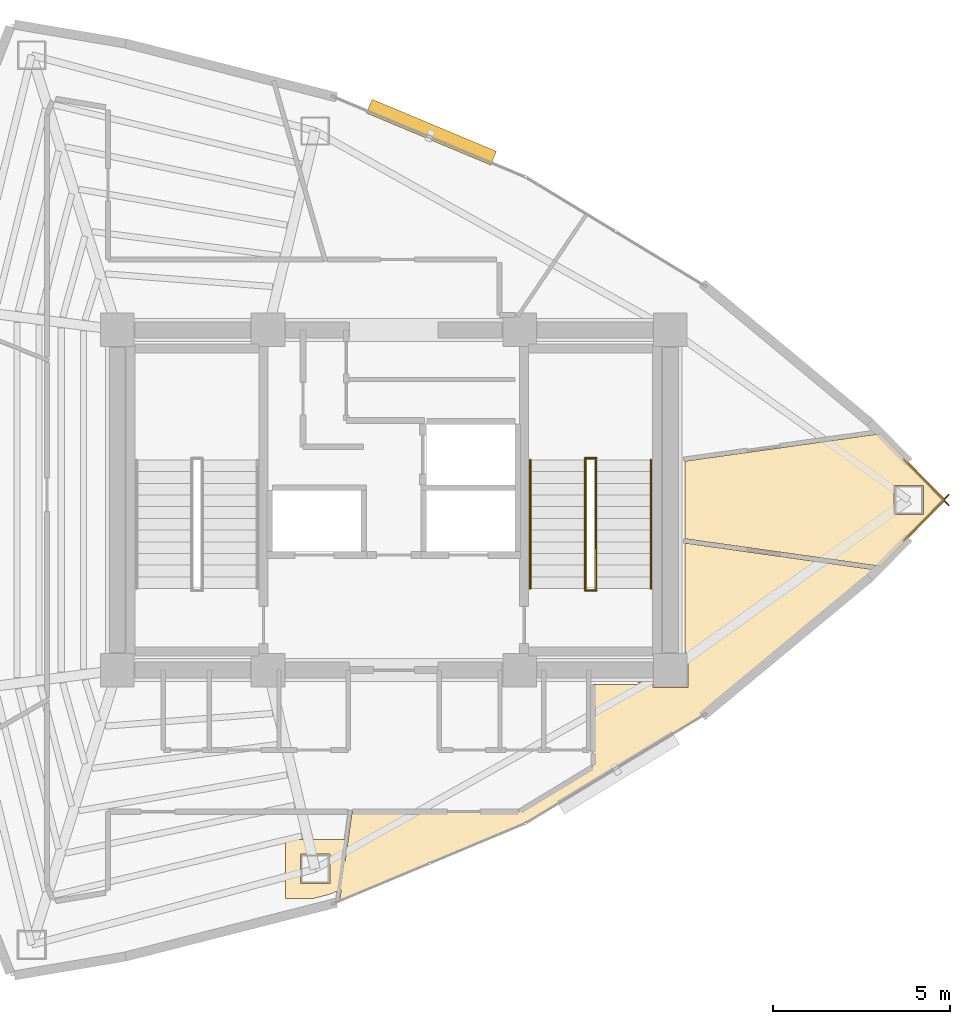
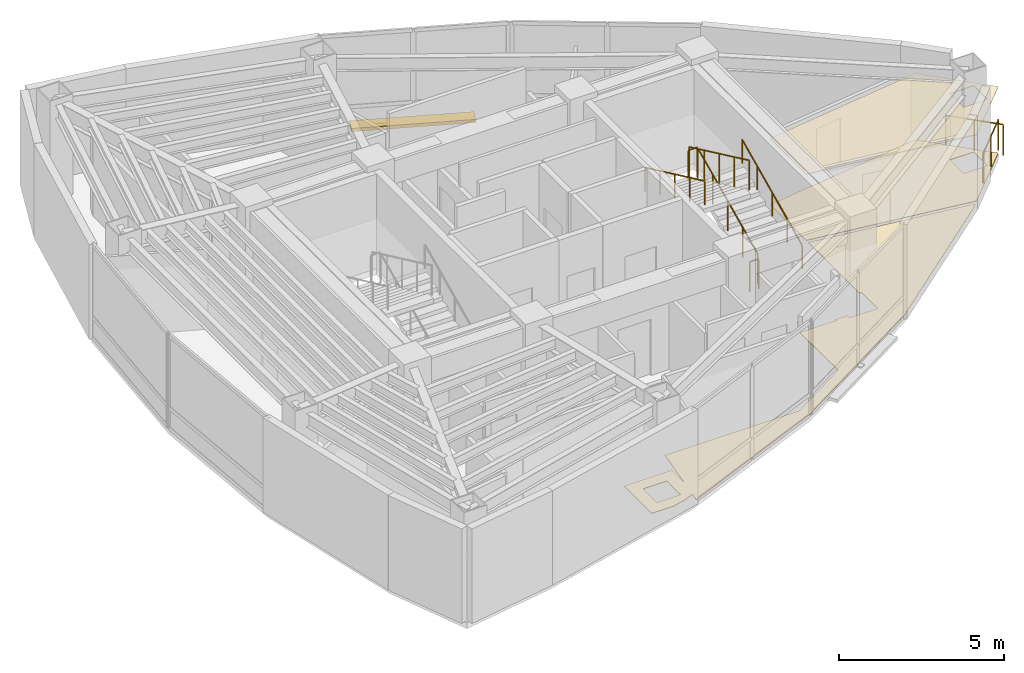
# One storey, part 15 of 15: 8 railings, 3 coverings, 1 shading device.
"""IFC4 building model written with IfcOpenShell, lengths in metres."""

from ifc_helpers import new_model, si_unit, direction, frame, origin, origin_2d, place, context, subcontext, project, spatial, polyline, rectangle, circle, outline, extrude, material, layer, layer_set, type_object, element, save


model = new_model("IFC4")

# Units and contexts
model_context = context("Model", 3, precision=1e-05, world=origin(), true_north=direction((0.0, 1.0)))
body_context = subcontext(model_context, "Body", "Model", "MODEL_VIEW")
ifc_project = project(units=[si_unit("LENGTHUNIT", "METRE"), si_unit("AREAUNIT", "SQUARE_METRE"), si_unit("VOLUMEUNIT", "CUBIC_METRE"), si_unit("PLANEANGLEUNIT", "RADIAN"), si_unit("MASSUNIT", "GRAM", prefix="KILO")], contexts=[model_context])

# Site, building, storey
site_placement = place(None, origin())
site = spatial("IfcSite", under=ifc_project, at=site_placement, CompositionType="ELEMENT")
building_placement = place(site_placement, origin())
building = spatial("IfcBuilding", under=site, at=building_placement, Name="Menara Vayukalpa", CompositionType="ELEMENT")
storey_placement = place(building_placement, frame((0.0, 0.0, 288.06005859375)))
storey = spatial("IfcBuildingStorey", under=building, at=storey_placement, Name="L73", CompositionType="ELEMENT", Elevation=288.06005859375)

# Coverings
ifc_material_1 = material(Name="Mineral Fibre Acoustic Ceiling Tile", Category="masonry")
ifc_layer_1 = layer(ifc_material_1, 0.02490234375)
ifc_layer_set_1 = layer_set([ifc_layer_1], Name="Mineral Fibre Acoustic Ceiling Tile")
covering_type_1 = type_object("IfcCoveringType", Name="COV-CLG1", PredefinedType="CEILING", material=ifc_layer_set_1)
covering_1_placement = place(storey_placement, frame((0.0, 0.0, 2.449951171875)))
element("IfcCovering", 1, at=covering_1_placement, inside=storey, type_object=covering_type_1, Name="L73 Corporate Training Classroom Acoustic Ceiling", PredefinedType="CEILING", context=body_context, shape_type="SweptSolid", body=[
    extrude(outline(polyline([(41.15234375, 22.005615234375), (41.152587890625, 22.004638671875), (41.1533203125, 22.00390625), (41.153564453125, 22.0029296875), (41.15380859375, 22.001953125), (41.15380859375, 22.0009765625), (41.15380859375, 22.0), (41.15380859375, 21.9990234375), (41.15380859375, 21.998046875), (41.153564453125, 21.9970703125), (41.1533203125, 21.99609375), (41.152587890625, 21.995361328125), (41.15234375, 21.994384765625), (41.151611328125, 21.99365234375), (41.15087890625, 21.992919921875), (39.326171875, 20.13427734375), (39.325439453125, 20.133544921875), (39.32470703125, 20.133056640625), (39.32373046875, 20.132568359375), (39.322998046875, 20.132080078125), (39.322021484375, 20.1318359375), (39.321044921875, 20.131591796875), (39.320068359375, 20.13134765625), (39.319091796875, 20.13134765625), (39.318115234375, 20.13134765625), (39.317138671875, 20.131591796875), (39.316162109375, 20.131591796875), (39.310302734375, 20.133544921875), (39.30419921875, 20.134521484375), (33.818603515625, 20.905517578125), (33.817626953125, 20.90576171875), (33.81689453125, 20.906005859375), (33.81591796875, 20.90625), (33.81494140625, 20.90673828125), (33.814208984375, 20.9072265625), (33.8134765625, 20.90771484375), (33.812744140625, 20.908447265625), (33.81201171875, 20.9091796875), (33.8115234375, 20.909912109375), (33.81103515625, 20.910888671875), (33.810791015625, 20.91162109375), (33.810302734375, 20.91259765625), (33.810302734375, 20.91357421875), (33.81005859375, 20.914306640625), (33.81005859375, 20.915283203125), (33.81005859375, 23.084716796875), (33.81005859375, 23.085693359375), (33.810302734375, 23.08642578125), (33.810302734375, 23.08740234375), (33.810791015625, 23.08837890625), (33.81103515625, 23.089111328125), (33.8115234375, 23.090087890625), (33.81201171875, 23.0908203125), (33.812744140625, 23.091552734375), (33.8134765625, 23.09228515625), (33.814208984375, 23.0927734375), (33.81494140625, 23.09326171875), (33.81591796875, 23.09375), (33.81689453125, 23.093994140625), (33.817626953125, 23.09423828125), (33.818603515625, 23.094482421875), (39.30419921875, 23.865478515625), (39.310302734375, 23.866455078125), (39.316162109375, 23.868408203125), (39.317138671875, 23.868408203125), (39.318115234375, 23.86865234375), (39.319091796875, 23.86865234375), (39.320068359375, 23.86865234375), (39.321044921875, 23.868408203125), (39.322021484375, 23.8681640625), (39.322998046875, 23.867919921875), (39.32373046875, 23.867431640625), (39.32470703125, 23.866943359375), (39.325439453125, 23.866455078125), (39.326171875, 23.86572265625), (41.15087890625, 22.007080078125), (41.151611328125, 22.00634765625), (41.15234375, 22.005615234375)]), holes=[polyline([(40.536865234375, 22.4150390625), (39.706787109375, 22.4150390625), (39.706787109375, 21.5849609375), (40.536865234375, 21.5849609375), (40.536865234375, 22.4150390625)])]), origin(), (0.0, 0.0, 1.0), 0.02490234375),
])
ifc_material_2 = material(Name="Porcelain Stoneware Floor Tile", Category="masonry")
ifc_layer_2 = layer(ifc_material_2, 0.02001953125)
ifc_layer_set_2 = layer_set([ifc_layer_2], Name="Porcelain Stoneware Floor Tile")
covering_type_2 = type_object("IfcCoveringType", Name="COV-FLR1", PredefinedType="FLOORING", material=ifc_layer_set_2)
covering_2_placement = place(storey_placement, origin())
element("IfcCovering", 2, at=covering_2_placement, inside=storey, type_object=covering_type_2, Name="L73 Corporate Training Classroom Porcelain Flooring", PredefinedType="FLOORING", context=body_context, shape_type="SweptSolid", body=[
    extrude(outline(polyline([(24.216796875, 12.43017578125), (24.216796875, 11.727783203125), (24.42529296875, 13.21142578125), (24.425537109375, 13.21240234375), (24.42578125, 13.213134765625), (24.42626953125, 13.214111328125), (24.426513671875, 13.215087890625), (24.427001953125, 13.2158203125), (24.427734375, 13.216552734375), (24.428466796875, 13.21728515625), (24.42919921875, 13.218017578125), (24.429931640625, 13.218505859375), (24.4306640625, 13.218994140625), (24.431640625, 13.21923828125), (24.4326171875, 13.219482421875), (24.433349609375, 13.2197265625), (24.434326171875, 13.219970703125), (24.435302734375, 13.219970703125), (29.109619140625, 13.219970703125), (29.11669921875, 13.220458984375), (29.12353515625, 13.221435546875), (29.13037109375, 13.22314453125), (29.13720703125, 13.2255859375), (29.153076171875, 13.232177734375), (29.157958984375, 13.234375), (29.16259765625, 13.237060546875), (31.18603515625, 14.46630859375), (31.1923828125, 14.470458984375), (31.19775390625, 14.47509765625), (31.20263671875, 14.480224609375), (31.20703125, 14.48583984375), (31.2109375, 14.491943359375), (31.214111328125, 14.498291015625), (31.216552734375, 14.5048828125), (31.218505859375, 14.511962890625), (31.219482421875, 14.51904296875), (31.219970703125, 14.5263671875), (31.219970703125, 14.849609375), (31.219482421875, 14.856689453125), (31.21875, 14.86376953125), (31.217041015625, 14.870361328125), (31.214599609375, 14.876708984375), (31.2119140625, 14.8828125), (31.211669921875, 14.883056640625), (31.211181640625, 14.8837890625), (31.210693359375, 14.884765625), (31.21044921875, 14.8857421875), (31.210205078125, 14.88671875), (31.2099609375, 14.8876953125), (31.2099609375, 14.888671875), (31.2099609375, 16.780029296875), (31.2099609375, 16.781005859375), (31.210205078125, 16.781982421875), (31.21044921875, 16.782958984375), (31.210693359375, 16.78369140625), (31.211181640625, 16.78466796875), (31.211669921875, 16.78564453125), (31.21240234375, 16.786376953125), (31.212890625, 16.787109375), (31.213623046875, 16.78759765625), (31.21435546875, 16.788330078125), (31.21533203125, 16.788818359375), (31.21630859375, 16.789306640625), (31.217041015625, 16.78955078125), (31.218017578125, 16.789794921875), (31.218994140625, 16.7900390625), (31.219970703125, 16.7900390625), (32.489990234375, 16.7900390625), (32.489990234375, 16.85009765625), (32.909912109375, 16.85009765625), (32.909912109375, 16.7099609375), (33.889892578125, 16.7099609375), (33.889892578125, 17.68994140625), (33.81005859375, 17.68994140625), (33.81005859375, 20.774169921875), (33.81005859375, 20.775146484375), (33.810302734375, 20.776123046875), (33.810546875, 20.777099609375), (33.810791015625, 20.778076171875), (33.811279296875, 20.77880859375), (33.811767578125, 20.77978515625), (33.8125, 20.780517578125), (33.81298828125, 20.78125), (33.813720703125, 20.781982421875), (33.814697265625, 20.782470703125), (33.8154296875, 20.782958984375), (33.81640625, 20.783447265625), (33.8173828125, 20.78369140625), (33.818359375, 20.783935546875), (33.8193359375, 20.7841796875), (33.8203125, 20.7841796875), (33.8212890625, 20.783935546875), (39.19970703125, 20.028076171875), (39.20068359375, 20.02783203125), (39.201416015625, 20.027587890625), (39.202392578125, 20.027099609375), (39.203369140625, 20.02685546875), (39.2041015625, 20.026123046875), (39.205078125, 20.025634765625), (39.205810546875, 20.02490234375), (39.206298828125, 20.024169921875), (39.206787109375, 20.023193359375), (39.207275390625, 20.022216796875), (39.207763671875, 20.021484375), (39.2080078125, 20.0205078125), (39.2080078125, 20.01953125), (39.208251953125, 20.0185546875), (39.208251953125, 20.017578125), (39.2080078125, 20.0166015625), (39.207763671875, 20.015380859375), (39.20751953125, 20.014404296875), (39.20703125, 20.013671875), (39.20654296875, 20.0126953125), (39.2060546875, 20.011962890625), (39.205322265625, 20.01123046875), (39.021240234375, 19.82373046875), (39.0205078125, 19.822998046875), (34.374755859375, 15.97021484375), (34.37353515625, 15.969482421875), (29.3271484375, 12.904052734375), (29.326416015625, 12.90380859375), (29.32568359375, 12.9033203125), (24.089599609375, 10.713134765625), (24.088623046875, 10.712646484375), (24.087646484375, 10.71240234375), (24.086669921875, 10.71240234375), (24.085693359375, 10.71240234375), (24.084716796875, 10.71240234375), (24.083740234375, 10.71240234375), (24.082763671875, 10.712890625), (24.081787109375, 10.713134765625), (24.080810546875, 10.713623046875), (24.080078125, 10.714111328125), (24.0791015625, 10.714599609375), (24.07861328125, 10.71533203125), (24.077880859375, 10.716064453125), (24.0771484375, 10.717041015625), (24.07666015625, 10.7177734375), (24.076416015625, 10.71875), (24.075927734375, 10.7197265625), (24.07568359375, 10.720703125), (24.07568359375, 10.7216796875), (24.07568359375, 10.72265625), (24.07568359375, 10.7236328125), (24.116943359375, 11.01708984375), (23.7919921875, 10.881103515625), (23.3173828125, 10.76025390625), (22.546875, 10.76025390625), (22.546875, 12.43017578125), (24.216796875, 12.43017578125)]), holes=[polyline([(23.796875, 12.01025390625), (22.966796875, 12.01025390625), (22.966796875, 11.18017578125), (23.796875, 11.18017578125), (23.796875, 12.01025390625)])]), origin(), (0.0, 0.0, 1.0), 0.02001953125),
])
covering_3_placement = place(storey_placement, origin())
element("IfcCovering", 3, at=covering_3_placement, inside=storey, type_object=covering_type_2, Name="L73 Corporate Training Classroom Porcelain Flooring", PredefinedType="FLOORING", context=body_context, shape_type="SweptSolid", body=[
    extrude(outline(polyline([(41.15234375, 22.005615234375), (41.152587890625, 22.004638671875), (41.1533203125, 22.00390625), (41.153564453125, 22.0029296875), (41.15380859375, 22.001953125), (41.15380859375, 22.0009765625), (41.15380859375, 22.0), (41.15380859375, 21.9990234375), (41.15380859375, 21.998046875), (41.153564453125, 21.9970703125), (41.1533203125, 21.99609375), (41.152587890625, 21.995361328125), (41.15234375, 21.994384765625), (41.151611328125, 21.99365234375), (41.15087890625, 21.992919921875), (39.326171875, 20.13427734375), (39.325439453125, 20.133544921875), (39.32470703125, 20.133056640625), (39.32373046875, 20.132568359375), (39.322998046875, 20.132080078125), (39.322021484375, 20.1318359375), (39.321044921875, 20.131591796875), (39.320068359375, 20.13134765625), (39.319091796875, 20.13134765625), (39.318115234375, 20.13134765625), (39.317138671875, 20.131591796875), (39.316162109375, 20.131591796875), (39.310302734375, 20.133544921875), (39.30419921875, 20.134521484375), (33.818603515625, 20.905517578125), (33.817626953125, 20.90576171875), (33.81689453125, 20.906005859375), (33.81591796875, 20.90625), (33.81494140625, 20.90673828125), (33.814208984375, 20.9072265625), (33.8134765625, 20.90771484375), (33.812744140625, 20.908447265625), (33.81201171875, 20.9091796875), (33.8115234375, 20.909912109375), (33.81103515625, 20.910888671875), (33.810791015625, 20.91162109375), (33.810302734375, 20.91259765625), (33.810302734375, 20.91357421875), (33.81005859375, 20.914306640625), (33.81005859375, 20.915283203125), (33.81005859375, 23.084716796875), (33.81005859375, 23.085693359375), (33.810302734375, 23.08642578125), (33.810302734375, 23.08740234375), (33.810791015625, 23.08837890625), (33.81103515625, 23.089111328125), (33.8115234375, 23.090087890625), (33.81201171875, 23.0908203125), (33.812744140625, 23.091552734375), (33.8134765625, 23.09228515625), (33.814208984375, 23.0927734375), (33.81494140625, 23.09326171875), (33.81591796875, 23.09375), (33.81689453125, 23.093994140625), (33.817626953125, 23.09423828125), (33.818603515625, 23.094482421875), (39.30419921875, 23.865478515625), (39.310302734375, 23.866455078125), (39.316162109375, 23.868408203125), (39.317138671875, 23.868408203125), (39.318115234375, 23.86865234375), (39.319091796875, 23.86865234375), (39.320068359375, 23.86865234375), (39.321044921875, 23.868408203125), (39.322021484375, 23.8681640625), (39.322998046875, 23.867919921875), (39.32373046875, 23.867431640625), (39.32470703125, 23.866943359375), (39.325439453125, 23.866455078125), (39.326171875, 23.86572265625), (41.15087890625, 22.007080078125), (41.151611328125, 22.00634765625), (41.15234375, 22.005615234375)]), holes=[polyline([(40.536865234375, 22.4150390625), (39.706787109375, 22.4150390625), (39.706787109375, 21.5849609375), (40.536865234375, 21.5849609375), (40.536865234375, 22.4150390625)])]), origin(), (0.0, 0.0, 1.0), 0.02001953125),
])

# Railings
ifc_material_3 = material(Name="Laminated Glass and Stainless Steel 316 Guardrail", Category="steel")
railing_type_1 = type_object("IfcRailingType", Name="RLG-EXT115", PredefinedType="GUARDRAIL", material=ifc_material_3)
railing_1_placement = place(storey_placement, frame((39.976318359375, 20.853515625, 0.0)))
element("IfcRailing", 4, at=railing_1_placement, inside=storey, type_object=railing_type_1, Name="L73 Column Corner Spandrel Guardrail 01-1", PredefinedType="GUARDRAIL", context=body_context, shape_type="SweptSolid", body=[
    extrude(circle(Radius=0.02392578125, at=origin_2d()), frame((0.0, 0.0, 1.1259765625), z_axis=(0.700555224103, 0.713598190848, 0.0), x_axis=(-0.713598190848, 0.700555224103, 0.0)), (0.0, 0.0, 1.0), 1.815673828125),
    extrude(circle(Radius=0.02099609375, at=origin_2d()), origin(), (0.0, 0.0, 1.0), 1.101806640625),
    extrude(circle(Radius=0.02099609375, at=origin_2d()), frame((0.635986328125, 0.64794921875, 0.0)), (0.0, 0.0, 1.0), 1.101806640625),
    extrude(circle(Radius=0.02099609375, at=origin_2d()), frame((1.27197265625, 1.295654296875, 0.0)), (0.0, 0.0, 1.0), 1.101806640625),
])
railing_2_placement = place(storey_placement, frame((41.248291015625, 21.850830078125, 0.0)))
element("IfcRailing", 5, at=railing_2_placement, inside=storey, type_object=railing_type_1, Name="L73 Column Corner Spandrel Guardrail 02-1", PredefinedType="GUARDRAIL", context=body_context, shape_type="SweptSolid", body=[
    extrude(circle(Radius=0.02392578125, at=origin_2d()), frame((0.0, 0.0, 1.1259765625), z_axis=(-0.700555224103, 0.713598190848, 0.0), x_axis=(-0.713598190848, -0.700555224103, 0.0)), (0.0, 0.0, 1.0), 1.815673828125),
    extrude(circle(Radius=0.02099609375, at=origin_2d()), origin(), (0.0, 0.0, 1.0), 1.101806640625),
    extrude(circle(Radius=0.02099609375, at=origin_2d()), frame((-0.635986328125, 0.64794921875, 0.0)), (0.0, 0.0, 1.0), 1.101806640625),
    extrude(circle(Radius=0.02099609375, at=origin_2d()), frame((-1.27197265625, 1.295654296875, 0.0)), (0.0, 0.0, 1.0), 1.101806640625),
])
ifc_material_4 = material(Name="Powder-Coated Galvanised Steel Guardrail", Category="steel")
railing_type_2 = type_object("IfcRailingType", Name="RLG-STG110", PredefinedType="GUARDRAIL", material=ifc_material_4)
railing_3_placement = place(storey_placement, frame((31.300048828125, 19.5, 0.155029296875)))
element("IfcRailing", 6, at=railing_3_placement, inside=storey, type_object=railing_type_2, Name="L73 ST-2 stair guard 1", PredefinedType="GUARDRAIL", context=body_context, shape_type="SweptSolid", body=[
    extrude(circle(Radius=0.02392578125, at=origin_2d()), frame((0.0, 0.0, 1.09619140625), z_axis=(0.0, 0.90513990983, 0.425113800803), x_axis=(-1.0, 0.0, 0.0)), (0.0, 0.0, 1.0), 4.01025390625),
    extrude(circle(Radius=0.02099609375, at=origin_2d()), origin(), (0.0, 0.0, 1.0), 1.072021484375),
    extrude(circle(Radius=0.02099609375, at=origin_2d()), frame((0.0, 0.907470703125, 0.42626953125)), (0.0, 0.0, 1.0), 1.072021484375),
    extrude(circle(Radius=0.02099609375, at=origin_2d()), frame((0.0, 1.81494140625, 0.8525390625)), (0.0, 0.0, 1.0), 1.072021484375),
    extrude(circle(Radius=0.02099609375, at=origin_2d()), frame((0.0, 2.722412109375, 1.278564453125)), (0.0, 0.0, 1.0), 1.072021484375),
    extrude(circle(Radius=0.02099609375, at=origin_2d()), frame((0.0, 3.6298828125, 1.704833984375)), (0.0, 0.0, 1.0), 1.072021484375),
])
railing_4_placement = place(storey_placement, frame((31.31005859375, 23.179931640625, 1.85986328125)))
element("IfcRailing", 7, at=railing_4_placement, inside=storey, type_object=railing_type_2, Name="L73 ST-2 stair guard 2", PredefinedType="GUARDRAIL", context=body_context, shape_type="SweptSolid", body=[
    extrude(circle(Radius=0.02392578125, at=origin_2d()), frame((0.0, 0.0, 1.09619140625), z_axis=(-1.0, 0.0, 0.0), x_axis=(0.0, -1.0, 0.0)), (0.0, 0.0, 1.0), 0.320068359375),
    extrude(circle(Radius=0.02099609375, at=origin_2d()), origin(), (0.0, 0.0, 1.0), 1.072021484375),
    extrude(circle(Radius=0.02099609375, at=origin_2d()), frame((-0.320068359375, 0.0, 0.0)), (0.0, 0.0, 1.0), 1.072021484375),
])
railing_5_placement = place(storey_placement, frame((31.0, 23.1298828125, 2.014892578125)))
element("IfcRailing", 8, at=railing_5_placement, inside=storey, type_object=railing_type_2, Name="L73 ST-2 stair guard 3", PredefinedType="GUARDRAIL", context=body_context, shape_type="SweptSolid", body=[
    extrude(circle(Radius=0.02392578125, at=origin_2d()), frame((0.0, 0.0, 1.09619140625), z_axis=(0.0, -0.90511648382, 0.425163675209), x_axis=(1.0, 0.0, 0.0)), (0.0, 0.0, 1.0), 4.010498046875),
    extrude(circle(Radius=0.02099609375, at=origin_2d()), origin(), (0.0, 0.0, 1.0), 1.072021484375),
    extrude(circle(Radius=0.02099609375, at=origin_2d()), frame((0.0, -0.907470703125, 0.42626953125)), (0.0, 0.0, 1.0), 1.072021484375),
    extrude(circle(Radius=0.02099609375, at=origin_2d()), frame((0.0, -1.81494140625, 0.8525390625)), (0.0, 0.0, 1.0), 1.072021484375),
    extrude(circle(Radius=0.02099609375, at=origin_2d()), frame((0.0, -2.722412109375, 1.27880859375)), (0.0, 0.0, 1.0), 1.072021484375),
    extrude(circle(Radius=0.02099609375, at=origin_2d()), frame((0.0, -3.6298828125, 1.705078125)), (0.0, 0.0, 1.0), 1.072021484375),
])
railing_6_placement = place(storey_placement, frame((31.31005859375, 19.449951171875, 0.0)))
element("IfcRailing", 9, at=railing_6_placement, inside=storey, type_object=railing_type_2, Name="L73 ST-2 stair guard 4", PredefinedType="GUARDRAIL", context=body_context, shape_type="SweptSolid", body=[
    extrude(circle(Radius=0.02392578125, at=origin_2d()), frame((0.0, 0.0, 1.09619140625), z_axis=(-1.0, 0.0, 0.0), x_axis=(0.0, -1.0, 0.0)), (0.0, 0.0, 1.0), 0.320068359375),
    extrude(circle(Radius=0.02099609375, at=origin_2d()), origin(), (0.0, 0.0, 1.0), 1.072021484375),
    extrude(circle(Radius=0.02099609375, at=origin_2d()), frame((-0.320068359375, 0.0, 0.0)), (0.0, 0.0, 1.0), 1.072021484375),
])
ifc_material_5 = material(Name="Stainless Steel 316 Tubular Handrail", Category="steel")
railing_type_3 = type_object("IfcRailingType", Name="RLG-STH090", PredefinedType="HANDRAIL", material=ifc_material_5)
railing_7_placement = place(storey_placement, frame((32.85009765625, 19.5, 0.155029296875)))
element("IfcRailing", 10, at=railing_7_placement, inside=storey, type_object=railing_type_3, Name="L73 ST-2 stair handrail 1", PredefinedType="HANDRAIL", context=body_context, shape_type="SweptSolid", body=[
    extrude(circle(Radius=0.02392578125, at=origin_2d()), frame((0.0, 0.0, 0.8759765625), z_axis=(0.0, 0.90513990983, 0.425113800803), x_axis=(-1.0, 0.0, 0.0)), (0.0, 0.0, 1.0), 4.01025390625),
    extrude(circle(Radius=0.02099609375, at=origin_2d()), origin(), (0.0, 0.0, 1.0), 0.851806640625),
    extrude(circle(Radius=0.02099609375, at=origin_2d()), frame((0.0, 0.907470703125, 0.42626953125)), (0.0, 0.0, 1.0), 0.851806640625),
    extrude(circle(Radius=0.02099609375, at=origin_2d()), frame((0.0, 1.81494140625, 0.8525390625)), (0.0, 0.0, 1.0), 0.851806640625),
    extrude(circle(Radius=0.02099609375, at=origin_2d()), frame((0.0, 2.722412109375, 1.278564453125)), (0.0, 0.0, 1.0), 0.851806640625),
    extrude(circle(Radius=0.02099609375, at=origin_2d()), frame((0.0, 3.6298828125, 1.704833984375)), (0.0, 0.0, 1.0), 0.851806640625),
])
railing_8_placement = place(storey_placement, frame((29.449951171875, 23.1298828125, 2.014892578125)))
element("IfcRailing", 11, at=railing_8_placement, inside=storey, type_object=railing_type_3, Name="L73 ST-2 stair handrail 2", PredefinedType="HANDRAIL", context=body_context, shape_type="SweptSolid", body=[
    extrude(circle(Radius=0.02392578125, at=origin_2d()), frame((0.0, 0.0, 0.8759765625), z_axis=(0.0, -0.90511648382, 0.425163675209), x_axis=(1.0, 0.0, 0.0)), (0.0, 0.0, 1.0), 4.010498046875),
    extrude(circle(Radius=0.02099609375, at=origin_2d()), origin(), (0.0, 0.0, 1.0), 0.851806640625),
    extrude(circle(Radius=0.02099609375, at=origin_2d()), frame((0.0, -0.907470703125, 0.42626953125)), (0.0, 0.0, 1.0), 0.851806640625),
    extrude(circle(Radius=0.02099609375, at=origin_2d()), frame((0.0, -1.81494140625, 0.8525390625)), (0.0, 0.0, 1.0), 0.851806640625),
    extrude(circle(Radius=0.02099609375, at=origin_2d()), frame((0.0, -2.722412109375, 1.27880859375)), (0.0, 0.0, 1.0), 0.851806640625),
    extrude(circle(Radius=0.02099609375, at=origin_2d()), frame((0.0, -3.6298828125, 1.705078125)), (0.0, 0.0, 1.0), 0.851806640625),
])

# Shading device
ifc_material_6 = material(Name="Glazed Terracotta Ceramic Baguette Extrusion", Category="masonry")
ifc_layer_3 = layer(ifc_material_6, 0.1201171875)
ifc_layer_set_3 = layer_set([ifc_layer_3], Name="Glazed Terracotta Ceramic Baguette Extrusion")
shading_device_type = type_object("IfcShadingDeviceType", Name="SHD-SS1", PredefinedType="USERDEFINED", material=ifc_layer_set_3)
shading_device_placement = place(storey_placement, frame((26.66015625, 32.374267578125, -0.10009765625), z_axis=(0.0, 0.0, 1.0), x_axis=(-0.922538089456, 0.385906042324, 0.0)))
element("IfcShadingDevice", 12, at=shading_device_placement, inside=storey, type_object=shading_device_type, Name="L73 Horizontal Terracotta Sunshade Band 05", ObjectType="SUNSHADE", PredefinedType="USERDEFINED", context=body_context, shape_type="SweptSolid", body=[
    extrude(rectangle(XDim=3.800048828125, YDim=0.419921875, at=origin_2d()), origin(), (0.0, 0.0, 1.0), 0.1201171875),
])

save(model, "model.ifc")
